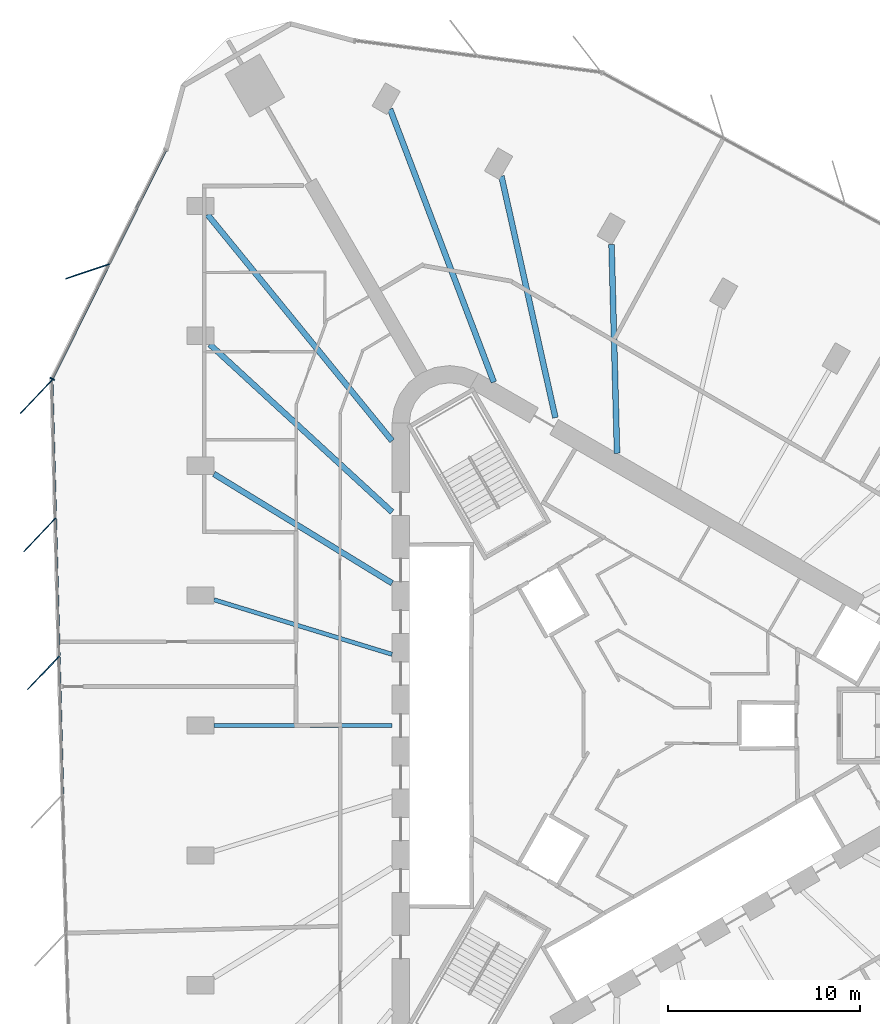
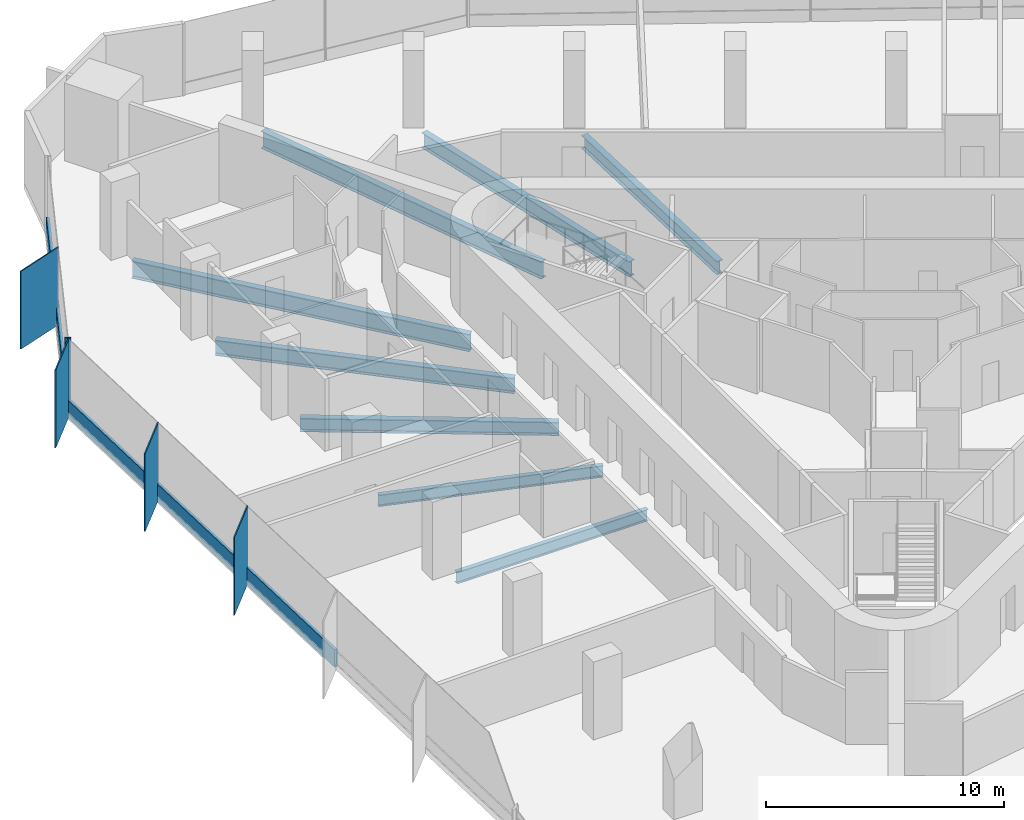
# One storey, part 4 of 14: 10 members, 8 beams, 2 elements without a shape of their own.
"""IFC4 building model written with IfcOpenShell, lengths in metres."""

from ifc_helpers import new_model, si_unit, direction, frame, origin, origin_2d, place, context, subcontext, project, spatial, rectangle, i_section, extrude, material, material_profile, profile_set, type_object, element, aggregate, save


model = new_model("IFC4")

# Units and contexts
model_context = context("Model", 3, precision=1e-05, world=origin(), true_north=direction((0.0, 1.0)))
body_context = subcontext(model_context, "Body", "Model", "MODEL_VIEW")
ifc_project = project(units=[si_unit("LENGTHUNIT", "METRE"), si_unit("AREAUNIT", "SQUARE_METRE"), si_unit("VOLUMEUNIT", "CUBIC_METRE"), si_unit("PLANEANGLEUNIT", "RADIAN"), si_unit("MASSUNIT", "GRAM", prefix="KILO")], contexts=[model_context])

# Site, building, storey
site_placement = place(None, origin())
site = spatial("IfcSite", under=ifc_project, at=site_placement, CompositionType="ELEMENT")
building_placement = place(site_placement, origin())
building = spatial("IfcBuilding", under=site, at=building_placement, Name="Tanit Gate Tower", CompositionType="ELEMENT")
storey_placement = place(building_placement, frame((0.0, 0.0, 221.199951171875)))
storey = spatial("IfcBuildingStorey", under=building, at=storey_placement, Name="L49", CompositionType="ELEMENT", Elevation=221.199951171875)

# Curtain wall, member
ifc_material_1 = material(Name="Aluminium bronze anodised and glass", Category="aluminium")
curtain_wall_type = type_object("IfcCurtainWallType", Name="Curtain wall typical mid", PredefinedType="NOTDEFINED", material=ifc_material_1)
curtain_wall_1_placement = place(storey_placement, origin())
curtain_wall_1 = element("IfcCurtainWall", 1, at=curtain_wall_1_placement, inside=storey, type_object=curtain_wall_type, Name="Curtain wall L49 W1", PredefinedType="NOTDEFINED")
ifc_material_2 = material(Name="Aluminium bronze anodised", Category="aluminium")
ifc_material_profile_1 = material_profile(ifc_material_2, rectangle(XDim=2.39990234375, YDim=0.055908203125, at=origin_2d()), Name="56x2400 bronze fin mullion")
ifc_profile_set_1 = profile_set([ifc_material_profile_1], Name="Aluminium bronze anodised")
member_type_1 = type_object("IfcMemberType", Name="FIN MULLION 56x2400 bronze", PredefinedType="MULLION", material=ifc_profile_set_1)
member_1_placement = place(storey_placement, frame((-27.973876953125, 23.66748046875, -0.300048828125), z_axis=(0.0, 0.0, 1.0), x_axis=(0.947650540599, 0.319309337325, 0.0)))
member_1 = element("IfcMember", 2, at=member_1_placement, type_object=member_type_1, Name="Fin mullion L49 W1.2", PredefinedType="MULLION", context=body_context, shape_type="SweptSolid", body=[
    extrude(rectangle(XDim=2.39990234375, YDim=0.055908203125, at=origin_2d()), origin(), (0.0, 0.0, 1.0), 4.0),
])

# Curtain wall, members
curtain_wall_2_placement = place(storey_placement, origin())
curtain_wall_2 = element("IfcCurtainWall", 3, at=curtain_wall_2_placement, inside=storey, type_object=curtain_wall_type, Name="Curtain wall L49 W2", PredefinedType="NOTDEFINED")
member_2_placement = place(storey_placement, frame((-30.648681640625, 17.137451171875, -0.300048828125), z_axis=(0.0, 0.0, 1.0), x_axis=(0.688437603131, 0.725295571884, 0.0)))
member_2 = element("IfcMember", 4, at=member_2_placement, type_object=member_type_1, Name="Fin mullion L49 W2.1", PredefinedType="MULLION", context=body_context, shape_type="SweptSolid", body=[
    extrude(rectangle(XDim=2.39990234375, YDim=0.055908203125, at=origin_2d()), origin(), (0.0, 0.0, 1.0), 4.0),
])
member_3_placement = place(storey_placement, frame((-30.4609375, 9.940185546875, -0.300048828125), z_axis=(0.0, 0.0, 1.0), x_axis=(0.688437603131, 0.725295571884, 0.0)))
member_3 = element("IfcMember", 5, at=member_3_placement, type_object=member_type_1, Name="Fin mullion L49 W2.2", PredefinedType="MULLION", context=body_context, shape_type="SweptSolid", body=[
    extrude(rectangle(XDim=2.39990234375, YDim=0.055908203125, at=origin_2d()), origin(), (0.0, 0.0, 1.0), 4.0),
])
member_4_placement = place(storey_placement, frame((-30.2734375, 2.7431640625, -0.300048828125), z_axis=(0.0, 0.0, 1.0), x_axis=(0.688437603131, 0.725295571884, 0.0)))
member_4 = element("IfcMember", 6, at=member_4_placement, type_object=member_type_1, Name="Fin mullion L49 W2.3", PredefinedType="MULLION", context=body_context, shape_type="SweptSolid", body=[
    extrude(rectangle(XDim=2.39990234375, YDim=0.055908203125, at=origin_2d()), origin(), (0.0, 0.0, 1.0), 4.0),
])

# Member
ifc_material_3 = material(Name="Aluminium bronze anodised", Category="aluminium")
ifc_material_profile_2 = material_profile(ifc_material_3, rectangle(XDim=0.260009765625, YDim=0.080078125, at=origin_2d()), Name="80x260 bronze mullion")
ifc_profile_set_2 = profile_set([ifc_material_profile_2], Name="Aluminium bronze anodised")
member_type_2 = type_object("IfcMemberType", Name="Mullion 80x260 typical mid", PredefinedType="MULLION", material=ifc_profile_set_2)
member_5_placement = place(storey_placement, frame((-29.8203125, 18.068115234375, -0.300048828125), z_axis=(0.0, 0.0, 1.0), x_axis=(0.895875921171, -0.444304325734, 0.0)))
member_5 = element("IfcMember", 7, at=member_5_placement, type_object=member_type_2, Name="Mullion L49 W1.3", PredefinedType="MULLION", context=body_context, shape_type="SweptSolid", body=[
    extrude(rectangle(XDim=0.260009765625, YDim=0.080078125, at=origin_2d()), origin(), (0.0, 0.0, 1.0), 4.0),
])

# Beams
ifc_material_4 = material(Name="Steel S355", Category="steel")
ifc_material_profile_3 = material_profile(ifc_material_4, i_section(OverallWidth=0.300048828125, OverallDepth=0.68994140625, WebThickness=0.014404296875, FlangeThickness=0.027099609375, FilletRadius=0.027099609375, at=origin_2d()), Name="HEA 700")
ifc_profile_set_3 = profile_set([ifc_material_profile_3], Name="Steel S355")
beam_type_1 = type_object("IfcBeamType", Name="RADIAL GIRDER HEA 700 S355", PredefinedType="BEAM", material=ifc_profile_set_3)
beam_1_placement = place(storey_placement, frame((-0.661865234375, 25.0791015625, -0.64501953125), z_axis=(0.026380949764, -0.99965196218, 0.0), x_axis=(0.99965196218, 0.026380949764, 0.0)))
element("IfcBeam", 8, at=beam_1_placement, inside=storey, type_object=beam_type_1, Name="RADIAL GIRDER", PredefinedType="BEAM", context=body_context, shape_type="SweptSolid", body=[
    extrude(i_section(OverallWidth=0.300048828125, OverallDepth=0.68994140625, WebThickness=0.014404296875, FlangeThickness=0.027099609375, FilletRadius=0.027099609375, at=origin_2d()), origin(), (0.0, 0.0, 1.0), 10.892578125),
])
beam_2_placement = place(storey_placement, frame((-21.38818359375, 13.11279296875, -0.64501953125), z_axis=(0.852535207667, -0.522669799863, 0.0), x_axis=(0.522669799863, 0.852535207667, 0.0)))
element("IfcBeam", 9, at=beam_2_placement, inside=storey, type_object=beam_type_1, Name="RADIAL GIRDER", PredefinedType="BEAM", context=body_context, shape_type="SweptSolid", body=[
    extrude(i_section(OverallWidth=0.300048828125, OverallDepth=0.68994140625, WebThickness=0.014404296875, FlangeThickness=0.027099609375, FilletRadius=0.027099609375, at=origin_2d()), origin(), (0.0, 0.0, 1.0), 10.892333984375),
])
ifc_material_5 = material(Name="Steel S355", Category="steel")
ifc_material_profile_4 = material_profile(ifc_material_5, i_section(OverallWidth=0.300048828125, OverallDepth=0.7900390625, WebThickness=0.014892578125, FlangeThickness=0.028076171875, FilletRadius=0.030029296875, at=origin_2d()), Name="HEA 800")
ifc_profile_set_4 = profile_set([ifc_material_profile_4], Name="Steel S355")
beam_type_2 = type_object("IfcBeamType", Name="RADIAL GIRDER HEA 800 S355", PredefinedType="BEAM", material=ifc_profile_set_4)
beam_3_placement = place(storey_placement, frame((-6.402587890625, 28.636474609375, -0.695068359375), z_axis=(0.218198546062, -0.975904398236, 0.0), x_axis=(0.975904398236, 0.218198546062, 0.0)))
element("IfcBeam", 10, at=beam_3_placement, inside=storey, type_object=beam_type_2, Name="RADIAL GIRDER", PredefinedType="BEAM", context=body_context, shape_type="SweptSolid", body=[
    extrude(i_section(OverallWidth=0.300048828125, OverallDepth=0.7900390625, WebThickness=0.014892578125, FlangeThickness=0.028076171875, FilletRadius=0.030029296875, at=origin_2d()), origin(), (0.0, 0.0, 1.0), 12.90185546875),
])
beam_4_placement = place(storey_placement, frame((-21.598876953125, 19.86279296875, -0.695068359375), z_axis=(0.736073177965, -0.676901969772, 0.0), x_axis=(0.676901969772, 0.736073177965, 0.0)))
element("IfcBeam", 11, at=beam_4_placement, inside=storey, type_object=beam_type_2, Name="RADIAL GIRDER", PredefinedType="BEAM", context=body_context, shape_type="SweptSolid", body=[
    extrude(i_section(OverallWidth=0.300048828125, OverallDepth=0.7900390625, WebThickness=0.014892578125, FlangeThickness=0.028076171875, FilletRadius=0.030029296875, at=origin_2d()), origin(), (0.0, 0.0, 1.0), 12.902099609375),
])
ifc_material_6 = material(Name="Steel S355", Category="steel")
ifc_material_profile_5 = material_profile(ifc_material_6, i_section(OverallWidth=0.300048828125, OverallDepth=0.889892578125, WebThickness=0.01611328125, FlangeThickness=0.030029296875, FilletRadius=0.030029296875, at=origin_2d()), Name="HEA 900")
ifc_profile_set_5 = profile_set([ifc_material_profile_5], Name="Steel S355")
beam_type_3 = type_object("IfcBeamType", Name="RADIAL GIRDER HEA 900 S355", PredefinedType="BEAM", material=ifc_profile_set_5)
beam_5_placement = place(storey_placement, frame((-12.205078125, 32.1279296875, -0.744873046875), z_axis=(0.355130013355, -0.934816919838, 0.0), x_axis=(0.934816919838, 0.355130013355, 0.0)))
element("IfcBeam", 12, at=beam_5_placement, inside=storey, type_object=beam_type_3, Name="RADIAL GIRDER", PredefinedType="BEAM", context=body_context, shape_type="SweptSolid", body=[
    extrude(i_section(OverallWidth=0.300048828125, OverallDepth=0.889892578125, WebThickness=0.01611328125, FlangeThickness=0.030029296875, FilletRadius=0.030029296875, at=origin_2d()), origin(), (0.0, 0.0, 1.0), 15.219970703125),
])
beam_6_placement = place(storey_placement, frame((-21.72119140625, 26.6337890625, -0.744873046875), z_axis=(0.632014947554, -0.774956196225, 0.0), x_axis=(0.774956196225, 0.632014947554, 0.0)))
element("IfcBeam", 13, at=beam_6_placement, inside=storey, type_object=beam_type_3, Name="RADIAL GIRDER", PredefinedType="BEAM", context=body_context, shape_type="SweptSolid", body=[
    extrude(i_section(OverallWidth=0.300048828125, OverallDepth=0.889892578125, WebThickness=0.01611328125, FlangeThickness=0.030029296875, FilletRadius=0.030029296875, at=origin_2d()), origin(), (0.0, 0.0, 1.0), 15.2197265625),
])
ifc_material_7 = material(Name="Steel S355", Category="steel")
ifc_material_profile_6 = material_profile(ifc_material_7, i_section(OverallWidth=0.219970703125, OverallDepth=0.60009765625, WebThickness=0.011962890625, FlangeThickness=0.01904296875, FilletRadius=0.02392578125, at=origin_2d()), Name="IPE 600")
ifc_profile_set_6 = profile_set([ifc_material_profile_6], Name="Steel S355")
beam_type_4 = type_object("IfcBeamType", Name="RADIAL GIRDER IPE 600 S355", PredefinedType="BEAM", material=ifc_profile_set_6)
beam_7_placement = place(storey_placement, frame((-21.38818359375, 6.556396484375, -0.599853515625), z_axis=(0.956085016758, -0.293089475639, 0.0), x_axis=(0.293089475639, 0.956085016758, 0.0)))
element("IfcBeam", 14, at=beam_7_placement, inside=storey, type_object=beam_type_4, Name="RADIAL GIRDER", PredefinedType="BEAM", context=body_context, shape_type="SweptSolid", body=[
    extrude(i_section(OverallWidth=0.219970703125, OverallDepth=0.60009765625, WebThickness=0.011962890625, FlangeThickness=0.01904296875, FilletRadius=0.02392578125, at=origin_2d()), origin(), (0.0, 0.0, 1.0), 9.712646484375),
])
beam_8_placement = place(storey_placement, frame((-21.38818359375, 0.0, -0.599853515625), z_axis=(1.0, 0.0, 0.0), x_axis=(0.0, 1.0, 0.0)))
element("IfcBeam", 15, at=beam_8_placement, inside=storey, type_object=beam_type_4, Name="RADIAL GIRDER", PredefinedType="BEAM", context=body_context, shape_type="SweptSolid", body=[
    extrude(i_section(OverallWidth=0.219970703125, OverallDepth=0.60009765625, WebThickness=0.011962890625, FlangeThickness=0.01904296875, FilletRadius=0.02392578125, at=origin_2d()), origin(), (0.0, 0.0, 1.0), 9.2861328125),
])

# Member
ifc_material_8 = material(Name="Aluminium bronze anodised", Category="aluminium")
ifc_material_profile_7 = material_profile(ifc_material_8, rectangle(XDim=0.139892578125, YDim=0.89990234375, at=origin_2d()), Name="140x900 bronze transom")
ifc_profile_set_7 = profile_set([ifc_material_profile_7], Name="Aluminium bronze anodised")
member_type_3 = type_object("IfcMemberType", Name="Transom 140x900 typical mid", PredefinedType="USERDEFINED", material=ifc_profile_set_7)
member_6_placement = place(storey_placement, frame((-23.910888671875, 29.98388671875, 0.150146484375), z_axis=(-0.444291993264, -0.89588203728, 0.0), x_axis=(0.89588203728, -0.444291993264, 0.0)))
member_6 = element("IfcMember", 16, at=member_6_placement, type_object=member_type_3, Name="Transom L49 W1.1", ObjectType="TRANSOM", PredefinedType="USERDEFINED", context=body_context, shape_type="SweptSolid", body=[
    extrude(rectangle(XDim=0.139892578125, YDim=0.89990234375, at=origin_2d()), origin(), (0.0, 0.0, 1.0), 6.59033203125),
])

member_7_placement = place(storey_placement, frame((-26.87451171875, 24.008056640625, 0.150146484375), z_axis=(-0.444321725775, -0.895867291514, 0.0), x_axis=(0.895867291514, -0.444321725775, 0.0)))
member_7 = element("IfcMember", 17, at=member_7_placement, type_object=member_type_3, Name="Transom L49 W1.2", ObjectType="TRANSOM", PredefinedType="USERDEFINED", context=body_context, shape_type="SweptSolid", body=[
    extrude(rectangle(XDim=0.139892578125, YDim=0.89990234375, at=origin_2d()), origin(), (0.0, 0.0, 1.0), 6.59033203125),
])

aggregate(curtain_wall_1, [member_1, member_5, member_6, member_7])

member_8_placement = place(storey_placement, frame((-29.836181640625, 17.952392578125, 0.150146484375), z_axis=(0.026061397555, -0.999660344096, 0.0), x_axis=(0.999660344096, 0.026061397555, 0.0)))
member_8 = element("IfcMember", 18, at=member_8_placement, type_object=member_type_3, Name="Transom L49 W2.1", ObjectType="TRANSOM", PredefinedType="USERDEFINED", context=body_context, shape_type="SweptSolid", body=[
    extrude(rectangle(XDim=0.139892578125, YDim=0.89990234375, at=origin_2d()), origin(), (0.0, 0.0, 1.0), 7.11962890625),
])

member_9_placement = place(storey_placement, frame((-29.6484375, 10.755126953125, 0.150146484375), z_axis=(0.026061397555, -0.999660344096, 0.0), x_axis=(0.999660344096, 0.026061397555, 0.0)))
member_9 = element("IfcMember", 19, at=member_9_placement, type_object=member_type_3, Name="Transom L49 W2.2", ObjectType="TRANSOM", PredefinedType="USERDEFINED", context=body_context, shape_type="SweptSolid", body=[
    extrude(rectangle(XDim=0.139892578125, YDim=0.89990234375, at=origin_2d()), origin(), (0.0, 0.0, 1.0), 7.11962890625),
])

member_10_placement = place(storey_placement, frame((-29.460693359375, 3.55810546875, 0.150146484375), z_axis=(0.026061397555, -0.999660344096, 0.0), x_axis=(0.999660344096, 0.026061397555, 0.0)))
member_10 = element("IfcMember", 20, at=member_10_placement, type_object=member_type_3, Name="Transom L49 W2.3", ObjectType="TRANSOM", PredefinedType="USERDEFINED", context=body_context, shape_type="SweptSolid", body=[
    extrude(rectangle(XDim=0.139892578125, YDim=0.89990234375, at=origin_2d()), origin(), (0.0, 0.0, 1.0), 7.11962890625),
])

aggregate(curtain_wall_2, [member_2, member_3, member_4, member_8, member_9, member_10])

save(model, "model.ifc")
